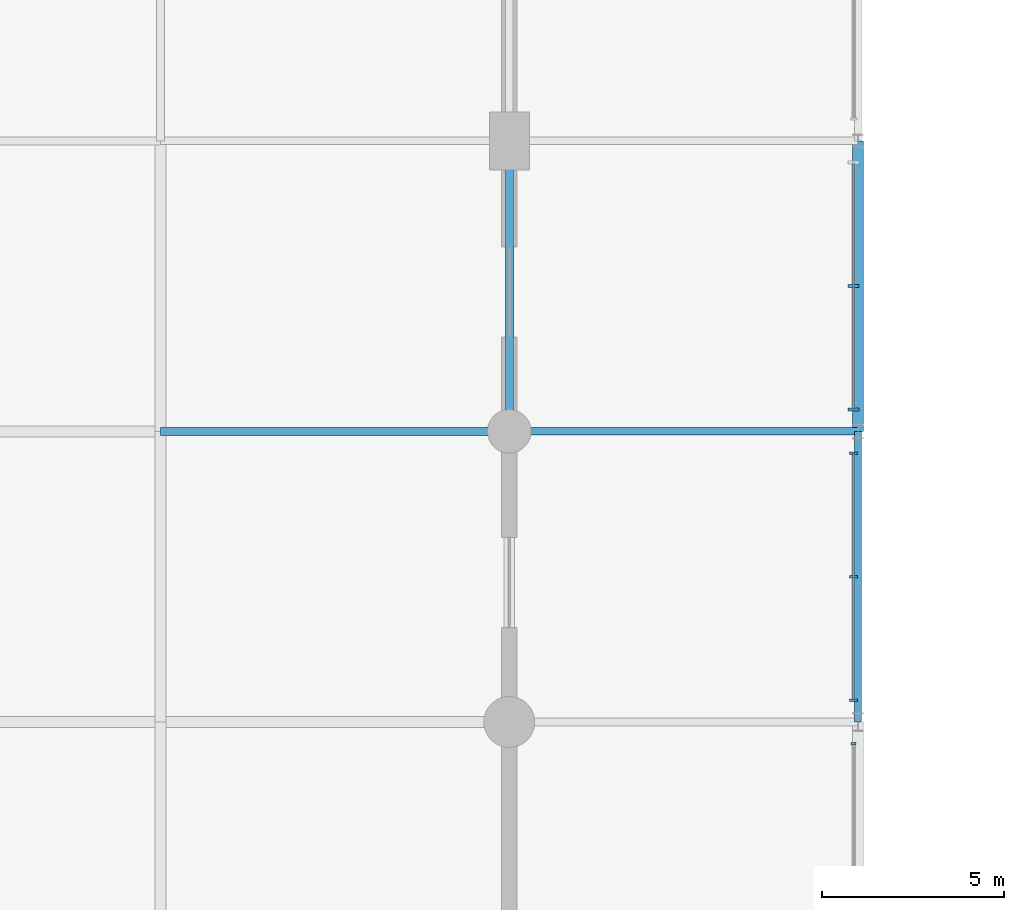
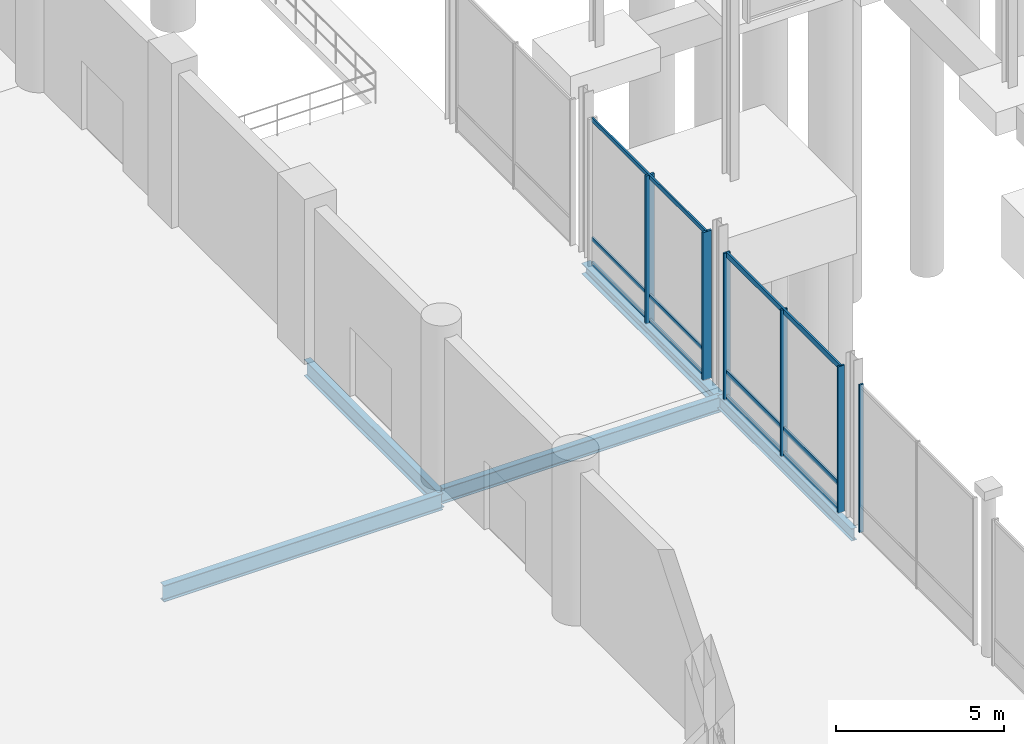
# One storey, part 50 of 124: 12 members, 5 beams, 3 elements without a shape of their own.
"""IFC4 building model written with IfcOpenShell, lengths in metres."""

from ifc_helpers import new_model, si_unit, direction, frame, origin, origin_2d, place, context, subcontext, project, spatial, rectangle, i_section, extrude, material, material_profile, profile_set, type_object, element, aggregate, save


model = new_model("IFC4")

# Units and contexts
model_context = context("Model", 3, precision=1e-05, world=origin(), true_north=direction((0.0, 1.0)))
body_context = subcontext(model_context, "Body", "Model", "MODEL_VIEW")
ifc_project = project(units=[si_unit("LENGTHUNIT", "METRE"), si_unit("AREAUNIT", "SQUARE_METRE"), si_unit("VOLUMEUNIT", "CUBIC_METRE"), si_unit("PLANEANGLEUNIT", "RADIAN"), si_unit("MASSUNIT", "GRAM", prefix="KILO")], contexts=[model_context])

# Site, building, storey
site_placement = place(None, origin())
site = spatial("IfcSite", under=ifc_project, at=site_placement, CompositionType="ELEMENT")
building_placement = place(site_placement, origin())
building = spatial("IfcBuilding", under=site, at=building_placement, Name="Danafjord Basin Convention Centre", CompositionType="ELEMENT")
storey_placement = place(building_placement, origin())
storey = spatial("IfcBuildingStorey", under=building, at=storey_placement, Name="L00", CompositionType="ELEMENT", Elevation=0.0)

# Beams
ifc_material_1 = material(Name="Steel S355", Category="steel")
ifc_material_profile_1 = material_profile(ifc_material_1, i_section(OverallWidth=0.2099609375, OverallDepth=0.550048828125, WebThickness=0.010986328125, FlangeThickness=0.01708984375, FilletRadius=0.02392578125, at=origin_2d()), Name="IPE 550")
ifc_profile_set_1 = profile_set([ifc_material_profile_1], Name="Steel S355")
beam_type_1 = type_object("IfcBeamType", Name="BEAM-BM-IPE550", PredefinedType="BEAM", material=ifc_profile_set_1)
beam_1_placement = place(storey_placement, frame((115.199951171875, 72.0, -0.56494140625), z_axis=(1.0, 0.0, 0.0), x_axis=(0.0, 1.0, 0.0)))
element("IfcBeam", 1, at=beam_1_placement, inside=storey, type_object=beam_type_1, Name="L00 girder BM-IPE550", PredefinedType="BEAM", context=body_context, shape_type="SweptSolid", body=[
    extrude(i_section(OverallWidth=0.2099609375, OverallDepth=0.550048828125, WebThickness=0.010986328125, FlangeThickness=0.01708984375, FilletRadius=0.02392578125, at=origin_2d()), origin(), (0.0, 0.0, 1.0), 9.60009765625),
])
ifc_material_profile_2 = material_profile(ifc_material_1, i_section(OverallWidth=0.219970703125, OverallDepth=0.60009765625, WebThickness=0.011962890625, FlangeThickness=0.01904296875, FilletRadius=0.02392578125, at=origin_2d()), Name="IPE 600")
ifc_profile_set_2 = profile_set([ifc_material_profile_2], Name="Steel S355")
beam_type_2 = type_object("IfcBeamType", Name="BEAM-BM-IPE600", PredefinedType="BEAM", material=ifc_profile_set_2)
beam_2_placement = place(storey_placement, frame((105.60009765625, 72.0, -0.75), z_axis=(1.0, 0.0, 0.0), x_axis=(0.0, 1.0, 0.0)))
element("IfcBeam", 2, at=beam_2_placement, inside=storey, type_object=beam_type_2, Name="L00 girder BM-IPE600", PredefinedType="BEAM", context=body_context, shape_type="SweptSolid", body=[
    extrude(i_section(OverallWidth=0.219970703125, OverallDepth=0.60009765625, WebThickness=0.011962890625, FlangeThickness=0.01904296875, FilletRadius=0.02392578125, at=origin_2d()), origin(), (0.0, 0.0, 1.0), 9.599853515625),
])
beam_3_placement = place(storey_placement, frame((115.199951171875, 72.0, -0.75), z_axis=(0.0, 1.0, 0.0), x_axis=(-1.0, 0.0, 0.0)))
element("IfcBeam", 3, at=beam_3_placement, inside=storey, type_object=beam_type_2, Name="L00 transverse girder BM-IPE600", PredefinedType="BEAM", context=body_context, shape_type="SweptSolid", body=[
    extrude(i_section(OverallWidth=0.219970703125, OverallDepth=0.60009765625, WebThickness=0.011962890625, FlangeThickness=0.01904296875, FilletRadius=0.02392578125, at=origin_2d()), origin(), (0.0, 0.0, 1.0), 8.0),
])
ifc_material_profile_3 = material_profile(ifc_material_1, i_section(OverallWidth=0.300048828125, OverallDepth=0.39990234375, WebThickness=0.013427734375, FlangeThickness=0.02392578125, FilletRadius=0.027099609375, at=origin_2d()), Name="HEB 400")
ifc_profile_set_3 = profile_set([ifc_material_profile_3], Name="Steel S355")
beam_type_3 = type_object("IfcBeamType", Name="BEAM-SP-HEB400", PredefinedType="SPANDREL", material=ifc_profile_set_3)
beam_4_placement = place(storey_placement, frame((124.800048828125, 72.0, -0.489990234375), z_axis=(0.0, 1.0, 0.0), x_axis=(-1.0, 0.0, 0.0)))
element("IfcBeam", 4, at=beam_4_placement, inside=storey, type_object=beam_type_3, Name="L00 transverse girder SP-HEB400", PredefinedType="SPANDREL", context=body_context, shape_type="SweptSolid", body=[
    extrude(i_section(OverallWidth=0.300048828125, OverallDepth=0.39990234375, WebThickness=0.013427734375, FlangeThickness=0.02392578125, FilletRadius=0.027099609375, at=origin_2d()), origin(), (0.0, 0.0, 1.0), 8.0),
])
ifc_material_profile_4 = material_profile(ifc_material_1, i_section(OverallWidth=0.18994140625, OverallDepth=0.449951171875, WebThickness=0.009521484375, FlangeThickness=0.0146484375, FilletRadius=0.02099609375, at=origin_2d()), Name="IPE 450")
ifc_profile_set_4 = profile_set([ifc_material_profile_4], Name="Steel S355")
beam_type_4 = type_object("IfcBeamType", Name="BEAM-SP-IPE450", PredefinedType="SPANDREL", material=ifc_profile_set_4)
beam_5_placement = place(storey_placement, frame((124.800048828125, 64.0, -0.514892578125), z_axis=(0.0, 1.0, 0.0), x_axis=(-1.0, 0.0, 0.0)))
element("IfcBeam", 5, at=beam_5_placement, inside=storey, type_object=beam_type_4, Name="L00 transverse girder SP-IPE450", PredefinedType="SPANDREL", context=body_context, shape_type="SweptSolid", body=[
    extrude(i_section(OverallWidth=0.18994140625, OverallDepth=0.449951171875, WebThickness=0.009521484375, FlangeThickness=0.0146484375, FilletRadius=0.02099609375, at=origin_2d()), origin(), (0.0, 0.0, 1.0), 8.0),
])

# Curtain wall, member
ifc_material_2 = material(Name="Anodised aluminium and triple glazing", Category="aluminium")
curtain_wall_type = type_object("IfcCurtainWallType", Name="CW-CW-BRIDGE", PredefinedType="NOTDEFINED", material=ifc_material_2)
curtain_wall_1_placement = place(storey_placement, origin())
curtain_wall_1 = element("IfcCurtainWall", 6, at=curtain_wall_1_placement, inside=storey, type_object=curtain_wall_type, Name="L00 CW-BRIDGE unitised curtain wall bay 165", PredefinedType="NOTDEFINED")
ifc_material_3 = material(Name="Anodised aluminium EN AW-6060", Category="aluminium")
ifc_material_profile_5 = material_profile(ifc_material_3, rectangle(XDim=0.06005859375, YDim=0.139892578125, at=origin_2d()), Name="MULL 60x140")
ifc_profile_set_5 = profile_set([ifc_material_profile_5], Name="Anodised aluminium EN AW-6060")
member_type_1 = type_object("IfcMemberType", Name="MEM-ML-140", PredefinedType="MULLION", material=ifc_profile_set_5)
member_1_placement = place(storey_placement, frame((124.679931640625, 63.39990234375, -0.02490234375), z_axis=(0.0, 0.0, 1.0), x_axis=(0.0, 1.0, 0.0)))
member_1 = element("IfcMember", 7, at=member_1_placement, type_object=member_type_1, Name="CW-L00-165 mullion 3", PredefinedType="MULLION", context=body_context, shape_type="SweptSolid", body=[
    extrude(rectangle(XDim=0.06005859375, YDim=0.139892578125, at=origin_2d()), origin(), (0.0, 0.0, 1.0), 5.385009765625),
])
aggregate(curtain_wall_1, [member_1])

# Curtain wall, members
curtain_wall_2_placement = place(storey_placement, origin())
curtain_wall_2 = element("IfcCurtainWall", 8, at=curtain_wall_2_placement, inside=storey, type_object=curtain_wall_type, Name="L00 CW-BRIDGE unitised curtain wall bay 167", PredefinedType="NOTDEFINED")
ifc_material_profile_6 = material_profile(ifc_material_3, rectangle(XDim=0.06494140625, YDim=0.219970703125, at=origin_2d()), Name="MULL 65x220")
ifc_profile_set_6 = profile_set([ifc_material_profile_6], Name="Anodised aluminium EN AW-6060")
member_type_2 = type_object("IfcMemberType", Name="MEM-ML-220", PredefinedType="MULLION", material=ifc_profile_set_6)
member_2_placement = place(storey_placement, frame((124.679931640625, 64.60009765625, -0.02490234375), z_axis=(0.0, 0.0, 1.0), x_axis=(0.0, 1.0, 0.0)))
member_2 = element("IfcMember", 9, at=member_2_placement, type_object=member_type_2, Name="CW-L00-167 mullion 1", PredefinedType="MULLION", context=body_context, shape_type="SweptSolid", body=[
    extrude(rectangle(XDim=0.06494140625, YDim=0.219970703125, at=origin_2d()), origin(), (0.0, 0.0, 1.0), 5.3349609375),
])
member_3_placement = place(storey_placement, frame((124.679931640625, 68.0, -0.02490234375), z_axis=(0.0, 0.0, 1.0), x_axis=(0.0, 1.0, 0.0)))
member_3 = element("IfcMember", 10, at=member_3_placement, type_object=member_type_2, Name="CW-L00-167 mullion 2", PredefinedType="MULLION", context=body_context, shape_type="SweptSolid", body=[
    extrude(rectangle(XDim=0.06494140625, YDim=0.219970703125, at=origin_2d()), origin(), (0.0, 0.0, 1.0), 5.3349609375),
])
member_4_placement = place(storey_placement, frame((124.679931640625, 71.39990234375, -0.02490234375), z_axis=(0.0, 0.0, 1.0), x_axis=(0.0, 1.0, 0.0)))
member_4 = element("IfcMember", 11, at=member_4_placement, type_object=member_type_2, Name="CW-L00-167 mullion 3", PredefinedType="MULLION", context=body_context, shape_type="SweptSolid", body=[
    extrude(rectangle(XDim=0.06494140625, YDim=0.219970703125, at=origin_2d()), origin(), (0.0, 0.0, 1.0), 5.3349609375),
])

curtain_wall_3_placement = place(storey_placement, origin())
curtain_wall_3 = element("IfcCurtainWall", 12, at=curtain_wall_3_placement, inside=storey, type_object=curtain_wall_type, Name="L00 CW-BRIDGE unitised curtain wall bay 169", PredefinedType="NOTDEFINED")
ifc_material_profile_7 = material_profile(ifc_material_3, rectangle(XDim=0.080078125, YDim=0.300048828125, at=origin_2d()), Name="MULL 80x300")
ifc_profile_set_7 = profile_set([ifc_material_profile_7], Name="Anodised aluminium EN AW-6060")
member_type_3 = type_object("IfcMemberType", Name="MEM-ML-300", PredefinedType="MULLION", material=ifc_profile_set_7)
member_5_placement = place(storey_placement, frame((124.679931640625, 72.60009765625, -0.02490234375), z_axis=(0.0, 0.0, 1.0), x_axis=(0.0, 1.0, 0.0)))
member_5 = element("IfcMember", 13, at=member_5_placement, type_object=member_type_3, Name="CW-L00-169 mullion 1", PredefinedType="MULLION", context=body_context, shape_type="SweptSolid", body=[
    extrude(rectangle(XDim=0.080078125, YDim=0.300048828125, at=origin_2d()), origin(), (0.0, 0.0, 1.0), 5.385009765625),
])
member_6_placement = place(storey_placement, frame((124.679931640625, 76.0, -0.02490234375), z_axis=(0.0, 0.0, 1.0), x_axis=(0.0, 1.0, 0.0)))
member_6 = element("IfcMember", 14, at=member_6_placement, type_object=member_type_3, Name="CW-L00-169 mullion 2", PredefinedType="MULLION", context=body_context, shape_type="SweptSolid", body=[
    extrude(rectangle(XDim=0.080078125, YDim=0.300048828125, at=origin_2d()), origin(), (0.0, 0.0, 1.0), 5.385009765625),
])
ifc_material_profile_8 = material_profile(ifc_material_3, rectangle(XDim=0.06005859375, YDim=0.14990234375, at=origin_2d()), Name="TRAN 60x150")
ifc_profile_set_8 = profile_set([ifc_material_profile_8], Name="Anodised aluminium EN AW-6060")
member_type_4 = type_object("IfcMemberType", Name="MEM-TR-150", PredefinedType="USERDEFINED", material=ifc_profile_set_8)
member_7_placement = place(storey_placement, frame((124.679931640625, 72.60009765625, 0.06005859375), z_axis=(0.0, 1.0, 0.0), x_axis=(-1.0, 0.0, 0.0)))
member_7 = element("IfcMember", 15, at=member_7_placement, type_object=member_type_4, Name="CW-L00-169 transom 1", ObjectType="TRANSOM", PredefinedType="USERDEFINED", context=body_context, shape_type="SweptSolid", body=[
    extrude(rectangle(XDim=0.06005859375, YDim=0.14990234375, at=origin_2d()), origin(), (0.0, 0.0, 1.0), 6.7998046875),
])
member_8_placement = place(storey_placement, frame((124.679931640625, 72.60009765625, 0.949951171875), z_axis=(0.0, 1.0, 0.0), x_axis=(-1.0, 0.0, 0.0)))
member_8 = element("IfcMember", 16, at=member_8_placement, type_object=member_type_4, Name="CW-L00-169 transom 2", ObjectType="TRANSOM", PredefinedType="USERDEFINED", context=body_context, shape_type="SweptSolid", body=[
    extrude(rectangle(XDim=0.06005859375, YDim=0.14990234375, at=origin_2d()), origin(), (0.0, 0.0, 1.0), 6.7998046875),
])
member_9_placement = place(storey_placement, frame((124.679931640625, 72.60009765625, 5.2900390625), z_axis=(0.0, 1.0, 0.0), x_axis=(-1.0, 0.0, 0.0)))
member_9 = element("IfcMember", 17, at=member_9_placement, type_object=member_type_4, Name="CW-L00-169 transom 3", ObjectType="TRANSOM", PredefinedType="USERDEFINED", context=body_context, shape_type="SweptSolid", body=[
    extrude(rectangle(XDim=0.06005859375, YDim=0.14990234375, at=origin_2d()), origin(), (0.0, 0.0, 1.0), 6.7998046875),
])
aggregate(curtain_wall_3, [member_5, member_6, member_7, member_8, member_9])

# Member
ifc_material_profile_9 = material_profile(ifc_material_3, rectangle(XDim=0.06494140625, YDim=0.18994140625, at=origin_2d()), Name="TRAN 65x190")
ifc_profile_set_9 = profile_set([ifc_material_profile_9], Name="Anodised aluminium EN AW-6060")
member_type_5 = type_object("IfcMemberType", Name="MEM-TR-190", PredefinedType="USERDEFINED", material=ifc_profile_set_9)
member_10_placement = place(storey_placement, frame((124.679931640625, 64.60009765625, 0.06005859375), z_axis=(0.0, 1.0, 0.0), x_axis=(-1.0, 0.0, 0.0)))
member_10 = element("IfcMember", 18, at=member_10_placement, type_object=member_type_5, Name="CW-L00-167 transom 1", ObjectType="TRANSOM", PredefinedType="USERDEFINED", context=body_context, shape_type="SweptSolid", body=[
    extrude(rectangle(XDim=0.06494140625, YDim=0.18994140625, at=origin_2d()), origin(), (0.0, 0.0, 1.0), 6.7998046875),
])

member_11_placement = place(storey_placement, frame((124.679931640625, 64.60009765625, 0.949951171875), z_axis=(0.0, 1.0, 0.0), x_axis=(-1.0, 0.0, 0.0)))
member_11 = element("IfcMember", 19, at=member_11_placement, type_object=member_type_5, Name="CW-L00-167 transom 2", ObjectType="TRANSOM", PredefinedType="USERDEFINED", context=body_context, shape_type="SweptSolid", body=[
    extrude(rectangle(XDim=0.06494140625, YDim=0.18994140625, at=origin_2d()), origin(), (0.0, 0.0, 1.0), 6.7998046875),
])

member_12_placement = place(storey_placement, frame((124.679931640625, 64.60009765625, 5.239990234375), z_axis=(0.0, 1.0, 0.0), x_axis=(-1.0, 0.0, 0.0)))
member_12 = element("IfcMember", 20, at=member_12_placement, type_object=member_type_5, Name="CW-L00-167 transom 3", ObjectType="TRANSOM", PredefinedType="USERDEFINED", context=body_context, shape_type="SweptSolid", body=[
    extrude(rectangle(XDim=0.06494140625, YDim=0.18994140625, at=origin_2d()), origin(), (0.0, 0.0, 1.0), 6.7998046875),
])

aggregate(curtain_wall_2, [member_2, member_3, member_4, member_10, member_11, member_12])

save(model, "model.ifc")
